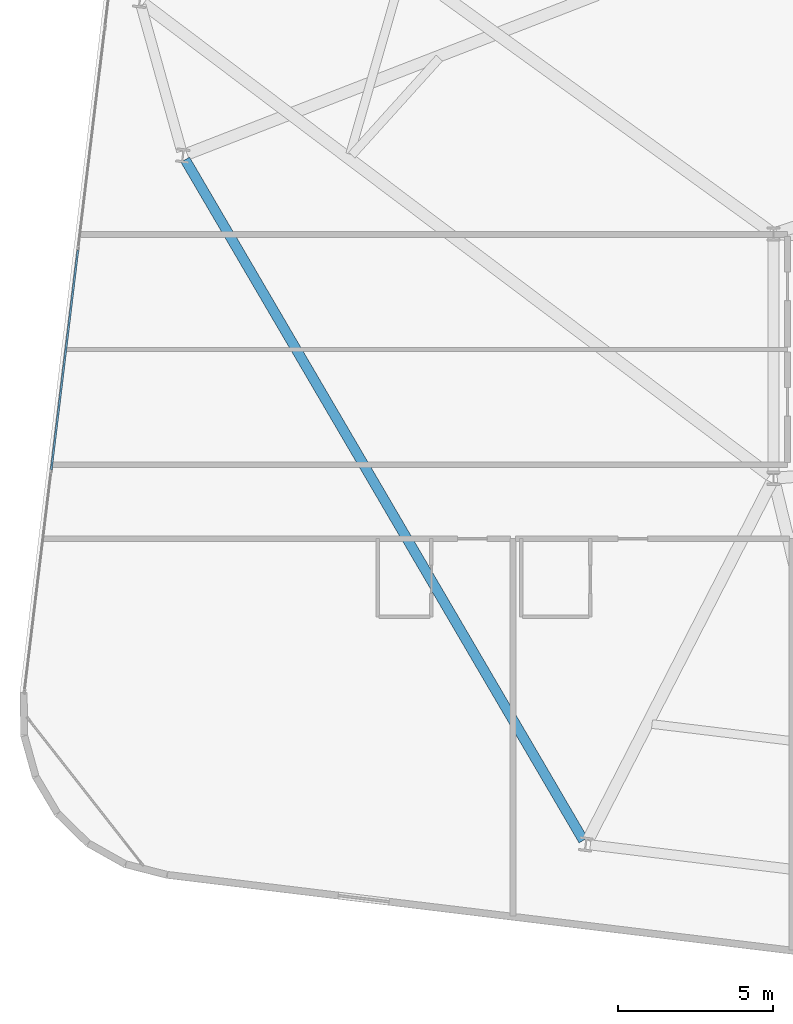
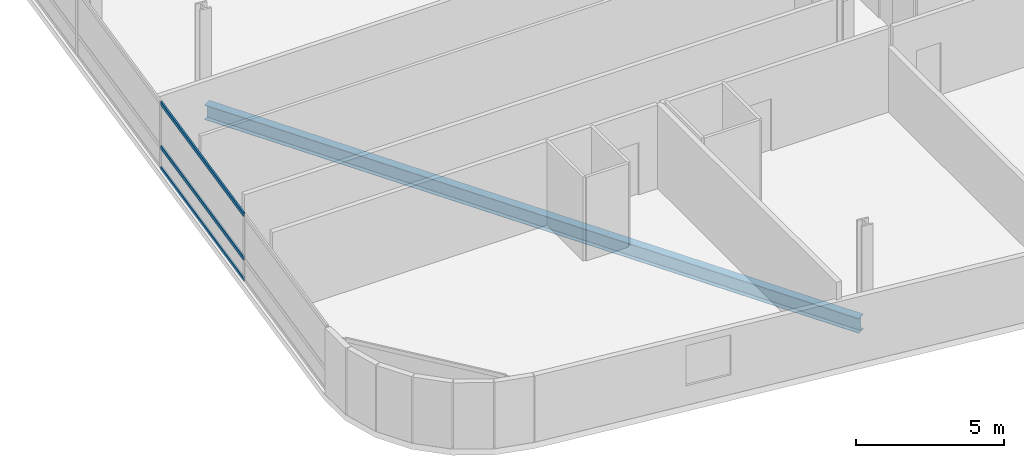
# One storey, part 5 of 26: 3 members, 1 beam, 1 element without a shape of its own.
"""IFC4 building model written with IfcOpenShell, lengths in metres."""

from ifc_helpers import new_model, si_unit, direction, frame, origin, origin_2d, place, context, subcontext, project, spatial, hollow_rectangle, i_section, extrude, material, layer, layer_set, material_profile, profile_set, type_object, element, aggregate, save


model = new_model("IFC4")

# Units and contexts
model_context = context("Model", 3, precision=1e-05, world=origin(), true_north=direction((0.0, 1.0)))
body_context = subcontext(model_context, "Body", "Model", "MODEL_VIEW")
ifc_project = project(units=[si_unit("LENGTHUNIT", "METRE"), si_unit("AREAUNIT", "SQUARE_METRE"), si_unit("VOLUMEUNIT", "CUBIC_METRE"), si_unit("PLANEANGLEUNIT", "RADIAN"), si_unit("MASSUNIT", "GRAM", prefix="KILO")], contexts=[model_context])

# Site, building, storey
site_placement = place(None, origin())
site = spatial("IfcSite", under=ifc_project, at=site_placement, CompositionType="ELEMENT")
building_placement = place(site_placement, origin())
building = spatial("IfcBuilding", under=site, at=building_placement, Name="Varnelok Gate Tower", CompositionType="ELEMENT")
storey_placement = place(building_placement, frame((0.0, 0.0, 151.300048828125)))
storey = spatial("IfcBuildingStorey", under=building, at=storey_placement, Name="L38", CompositionType="ELEMENT", Elevation=151.300048828125)

# Beam
ifc_material_1 = material(Name="Structural Steel ASTM A992 Grade 50", Category="steel")
ifc_material_profile_1 = material_profile(ifc_material_1, i_section(OverallWidth=0.323974609375, OverallDepth=0.611083984375, WebThickness=0.0126953125, FlangeThickness=0.01904296875, FilletRadius=0.01806640625, at=origin_2d()), Name="W24X104")
ifc_profile_set_1 = profile_set([ifc_material_profile_1], Name="Structural Steel ASTM A992 Grade 50")
beam_type = type_object("IfcBeamType", Name="BM-SPN-W24X104", PredefinedType="SPANDREL", material=ifc_profile_set_1)
beam_placement = place(storey_placement, frame((5.43115234375, 29.072021484375, -0.5556640625), z_axis=(0.504960797965, -0.863142278259, 0.0), x_axis=(0.863142278259, 0.504960797965, 0.0)))
element("IfcBeam", 1, at=beam_placement, inside=storey, type_object=beam_type, Name="L38 Perimeter Spandrel Beam 16", PredefinedType="SPANDREL", context=body_context, shape_type="SweptSolid", body=[
    extrude(i_section(OverallWidth=0.323974609375, OverallDepth=0.611083984375, WebThickness=0.0126953125, FlangeThickness=0.01904296875, FilletRadius=0.01806640625, at=origin_2d()), origin(), (0.0, 0.0, 1.0), 25.425537109375),
])

# Curtain wall, members
ifc_material_2 = material(Name="Anodized Aluminum Alloy 6063-T6", Category="aluminium")
ifc_layer = layer(ifc_material_2, 0.179931640625)
ifc_layer_set = layer_set([ifc_layer], Name="Anodized Aluminum Alloy 6063-T6")
curtain_wall_type = type_object("IfcCurtainWallType", Name="CW3-HOTEL-VISION", PredefinedType="USERDEFINED", material=ifc_layer_set)
curtain_wall_placement = place(storey_placement, origin())
curtain_wall = element("IfcCurtainWall", 2, at=curtain_wall_placement, inside=storey, type_object=curtain_wall_type, Name="L38 West End Vision Curtain Wall", ObjectType="UNITISED CURTAIN WALL", PredefinedType="USERDEFINED")
ifc_material_profile_2 = material_profile(ifc_material_2, hollow_rectangle(XDim=0.06494140625, YDim=0.159912109375, WallThickness=0.00390625, at=origin_2d()), Name="ALU160X65X4")
ifc_profile_set_2 = profile_set([ifc_material_profile_2], Name="Anodized Aluminum Alloy 6063-T6")
member_type = type_object("IfcMemberType", Name="CW-TRAN-160", PredefinedType="USERDEFINED", material=ifc_profile_set_2)
member_1_placement = place(storey_placement, frame((1.113525390625, 19.07080078125, 0.032470703125), z_axis=(0.120344652138, 0.992732171687, 0.0), x_axis=(-0.992732171687, 0.120344652138, 0.0)))
member_1 = element("IfcMember", 3, at=member_1_placement, type_object=member_type, Name="CW3 transom 2.1", ObjectType="TRANSOM", PredefinedType="USERDEFINED", context=body_context, shape_type="SweptSolid", body=[
    extrude(hollow_rectangle(XDim=0.06494140625, YDim=0.159912109375, WallThickness=0.00390625, at=origin_2d()), origin(), (0.0, 0.0, 1.0), 7.134765625),
])
member_2_placement = place(storey_placement, frame((1.113525390625, 19.07080078125, 0.89990234375), z_axis=(0.120344652138, 0.992732171687, 0.0), x_axis=(-0.992732171687, 0.120344652138, 0.0)))
member_2 = element("IfcMember", 4, at=member_2_placement, type_object=member_type, Name="CW3 transom 2.2", ObjectType="TRANSOM", PredefinedType="USERDEFINED", context=body_context, shape_type="SweptSolid", body=[
    extrude(hollow_rectangle(XDim=0.06494140625, YDim=0.159912109375, WallThickness=0.00390625, at=origin_2d()), origin(), (0.0, 0.0, 1.0), 7.134765625),
])
member_3_placement = place(storey_placement, frame((1.113525390625, 19.07080078125, 2.697509765625), z_axis=(0.120344652138, 0.992732171687, 0.0), x_axis=(-0.992732171687, 0.120344652138, 0.0)))
member_3 = element("IfcMember", 5, at=member_3_placement, type_object=member_type, Name="CW3 transom 2.3", ObjectType="TRANSOM", PredefinedType="USERDEFINED", context=body_context, shape_type="SweptSolid", body=[
    extrude(hollow_rectangle(XDim=0.06494140625, YDim=0.159912109375, WallThickness=0.00390625, at=origin_2d()), origin(), (0.0, 0.0, 1.0), 7.134765625),
])
aggregate(curtain_wall, [member_1, member_2, member_3])

save(model, "model.ifc")
